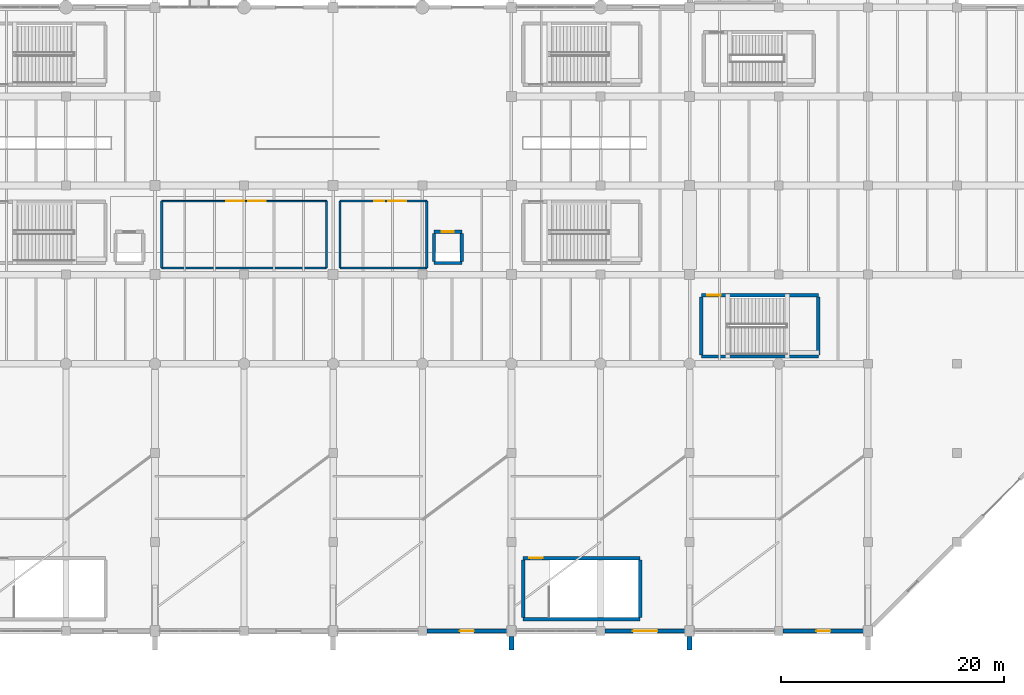
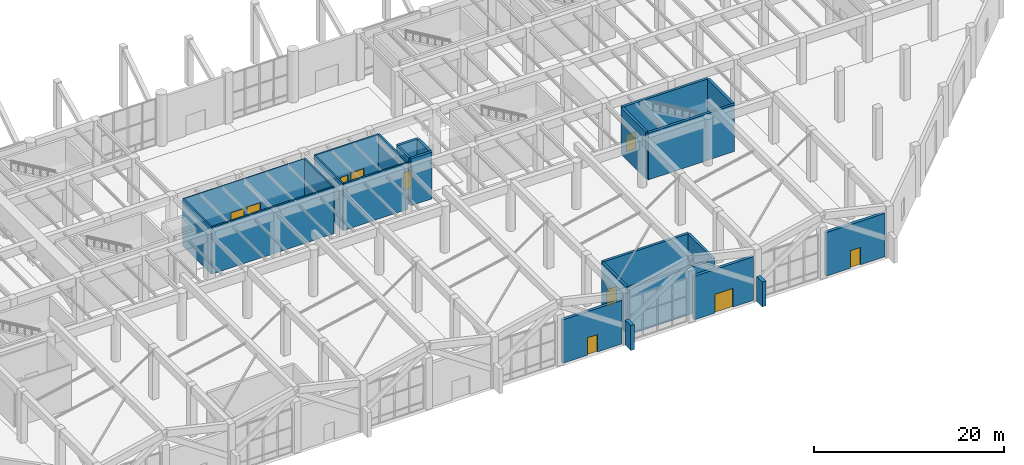
# One storey, part 36 of 51: 25 walls, 8 doors, 2 windows, 10 openings.
"""IFC4 building model written with IfcOpenShell, lengths in metres."""

from ifc_helpers import new_model, si_unit, direction, frame, frame_2d, origin, place, context, subcontext, project, spatial, rectangle, extrude, material, layer, layer_set, type_object, element, fill, save


model = new_model("IFC4")

# Units and contexts
model_context = context("Model", 3, precision=1e-05, world=origin(), true_north=direction((0.0, 1.0)))
body_context = subcontext(model_context, "Body", "Model", "MODEL_VIEW")
ifc_project = project(units=[si_unit("LENGTHUNIT", "METRE"), si_unit("AREAUNIT", "SQUARE_METRE"), si_unit("VOLUMEUNIT", "CUBIC_METRE"), si_unit("PLANEANGLEUNIT", "RADIAN"), si_unit("MASSUNIT", "GRAM", prefix="KILO")], contexts=[model_context])

# Site, building, storey
site_placement = place(None, origin())
site = spatial("IfcSite", under=ifc_project, at=site_placement, CompositionType="ELEMENT")
building_placement = place(site_placement, origin())
building = spatial("IfcBuilding", under=site, at=building_placement, Name="Varnela Railside Interchange", CompositionType="ELEMENT")
storey_placement = place(building_placement, origin())
storey = spatial("IfcBuildingStorey", under=building, at=storey_placement, Name="L00", CompositionType="ELEMENT", Elevation=0.0)

# Wall, opening, door
ifc_material_1 = material(Name="Concrete C40 precast", Category="concrete")
ifc_layer_1 = layer(ifc_material_1, 0.35009765625)
ifc_layer_set_1 = layer_set([ifc_layer_1], Name="Concrete C40 precast")
wall_type_1 = type_object("IfcWallType", Name="Bus Deck Acoustic Concrete Wall EW-04", PredefinedType="STANDARD", material=ifc_layer_set_1)
wall_1_placement = place(storey_placement, frame((131.60009765625, 6.0, 0.0), z_axis=(0.0, 0.0, 1.0), x_axis=(-1.0, 0.0, 0.0)))
wall_1 = element("IfcWall", 1, at=wall_1_placement, inside=storey, type_object=wall_type_1, Name="Bus Deck Acoustic Concrete Wall EW-04 (L00) (WL-0377)", PredefinedType="STANDARD", context=body_context, shape_type="SweptSolid", body=[
    extrude(rectangle(XDim=7.2001953125, YDim=0.35009765625, at=frame_2d((3.60009765625, 0.0))), origin(), (0.0, 0.0, 1.0), 5.60009765625),
])
opening_1_placement = place(wall_1_placement, frame((2.97509765625, 0.0, 0.0)))
opening_1 = element("IfcOpeningElement", 2, at=opening_1_placement, cuts=wall_1, Name="Opening D-018", PredefinedType="OPENING", context=body_context, shape_type="SweptSolid", body=[
    extrude(rectangle(XDim=1.25, YDim=2.25, at=frame_2d((0.625, 1.125))), frame((0.0, 0.18505859375, 0.0), z_axis=(0.0, -1.0, 0.0), x_axis=(1.0, 0.0, 0.0)), (0.0, 0.0, 1.0), 0.3701171875),
])
ifc_material_2 = material(Name="Steel AR 350 (350 MPa)", Category="steel")
door_type_1 = type_object("IfcDoorType", Name="Trackside Service Exit Door ED-08", OperationType="SINGLE_SWING_RIGHT", PredefinedType="DOOR", material=ifc_material_2)
door_1_placement = place(opening_1_placement, origin())
door_1 = element("IfcDoor", 3, at=door_1_placement, inside=storey, type_object=door_type_1, Name="Door D-018", OperationType="SINGLE_SWING_RIGHT", OverallHeight=2.25, OverallWidth=1.25, PredefinedType="DOOR", context=body_context, shape_type="SweptSolid", body=[
    extrude(rectangle(XDim=1.25, YDim=2.25, at=frame_2d((0.625, 1.125))), frame((0.0, 0.02490234375, 0.0), z_axis=(0.0, -1.0, 0.0), x_axis=(1.0, 0.0, 0.0)), (0.0, 0.0, 1.0), 0.050048828125),
])
fill(opening_1, door_1)

wall_2_placement = place(storey_placement, frame((115.60009765625, 6.0, 0.0), z_axis=(0.0, 0.0, 1.0), x_axis=(-1.0, 0.0, 0.0)))
wall_2 = element("IfcWall", 4, at=wall_2_placement, inside=storey, type_object=wall_type_1, Name="Bus Deck Acoustic Concrete Wall EW-04 (L00) (WL-0378)", PredefinedType="STANDARD", context=body_context, shape_type="SweptSolid", body=[
    extrude(rectangle(XDim=7.2001953125, YDim=0.35009765625, at=frame_2d((3.60009765625, 0.0))), origin(), (0.0, 0.0, 1.0), 5.60009765625),
])
opening_2_placement = place(wall_2_placement, frame((2.5, 0.0, 0.0)))
opening_2 = element("IfcOpeningElement", 5, at=opening_2_placement, cuts=wall_2, Name="Opening D-019", PredefinedType="OPENING", context=body_context, shape_type="SweptSolid", body=[
    extrude(rectangle(XDim=2.199951171875, YDim=2.39990234375, at=frame_2d((1.10009765625, 1.199951171875))), frame((0.0, 0.18505859375, 0.0), z_axis=(0.0, -1.0, 0.0), x_axis=(1.0, 0.0, 0.0)), (0.0, 0.0, 1.0), 0.3701171875),
])
ifc_material_3 = material(Name="Aluminium 6063-T6", Category="aluminium")
door_type_2 = type_object("IfcDoorType", Name="Bus Bay Automatic Boarding Door ED-04", OperationType="SLIDING_TO_LEFT", PredefinedType="DOOR", material=ifc_material_3)
door_2_placement = place(opening_2_placement, origin())
door_2 = element("IfcDoor", 6, at=door_2_placement, inside=storey, type_object=door_type_2, Name="Door D-019", OperationType="SLIDING_TO_LEFT", OverallHeight=2.39990234375, OverallWidth=2.199951171875, PredefinedType="DOOR", context=body_context, shape_type="SweptSolid", body=[
    extrude(rectangle(XDim=2.199951171875, YDim=2.39990234375, at=frame_2d((1.10009765625, 1.199951171875))), frame((0.0, 0.02490234375, 0.0), z_axis=(0.0, -1.0, 0.0), x_axis=(1.0, 0.0, 0.0)), (0.0, 0.0, 1.0), 0.050048828125),
])
fill(opening_2, door_2)

wall_3_placement = place(storey_placement, frame((99.60009765625, 6.0, 0.0), z_axis=(0.0, 0.0, 1.0), x_axis=(-1.0, 0.0, 0.0)))
wall_3 = element("IfcWall", 7, at=wall_3_placement, inside=storey, type_object=wall_type_1, Name="Bus Deck Acoustic Concrete Wall EW-04 (L00) (WL-0379)", PredefinedType="STANDARD", context=body_context, shape_type="SweptSolid", body=[
    extrude(rectangle(XDim=7.2001953125, YDim=0.35009765625, at=frame_2d((3.60009765625, 0.0))), origin(), (0.0, 0.0, 1.0), 5.60009765625),
])
opening_3_placement = place(wall_3_placement, frame((2.97509765625, 0.0, 0.0)))
opening_3 = element("IfcOpeningElement", 8, at=opening_3_placement, cuts=wall_3, Name="Opening D-020", PredefinedType="OPENING", context=body_context, shape_type="SweptSolid", body=[
    extrude(rectangle(XDim=1.25, YDim=2.25, at=frame_2d((0.625, 1.125))), frame((0.0, 0.18505859375, 0.0), z_axis=(0.0, -1.0, 0.0), x_axis=(1.0, 0.0, 0.0)), (0.0, 0.0, 1.0), 0.3701171875),
])
door_3_placement = place(opening_3_placement, origin())
door_3 = element("IfcDoor", 9, at=door_3_placement, inside=storey, type_object=door_type_1, Name="Door D-020", OperationType="SINGLE_SWING_RIGHT", OverallHeight=2.25, OverallWidth=1.25, PredefinedType="DOOR", context=body_context, shape_type="SweptSolid", body=[
    extrude(rectangle(XDim=1.25, YDim=2.25, at=frame_2d((0.625, 1.125))), frame((0.0, 0.02490234375, 0.0), z_axis=(0.0, -1.0, 0.0), x_axis=(1.0, 0.0, 0.0)), (0.0, 0.0, 1.0), 0.050048828125),
])
fill(opening_3, door_3)

# Wall, openings, door, window
ifc_material_4 = material(Name="Glass laminated double", Category="glass")
ifc_layer_2 = layer(ifc_material_4, 0.1201171875)
ifc_layer_set_2 = layer_set([ifc_layer_2], Name="Glass laminated double")
wall_type_2 = type_object("IfcWallType", Name="Glazed Operations Partition IW-03", PredefinedType="PARTITIONING", material=ifc_layer_set_2)
wall_4_placement = place(storey_placement, frame((68.60009765625, 44.60009765625, 0.0), z_axis=(0.0, 0.0, 1.0), x_axis=(1.0, 0.0, 0.0)))
wall_4 = element("IfcWall", 10, at=wall_4_placement, inside=storey, type_object=wall_type_2, Name="Glazed Operations Partition IW-03 (L00) (WL-0386)", PredefinedType="PARTITIONING", context=body_context, shape_type="SweptSolid", body=[
    extrude(rectangle(XDim=14.7998046875, YDim=0.1201171875, at=frame_2d((7.39990234375, 0.0))), origin(), (0.0, 0.0, 1.0), 6.02001953125),
])
opening_4_placement = place(wall_4_placement, frame((5.800048828125, 0.0, 0.0)))
opening_4 = element("IfcOpeningElement", 11, at=opening_4_placement, cuts=wall_4, Name="Opening D-174", PredefinedType="OPENING", context=body_context, shape_type="SweptSolid", body=[
    extrude(rectangle(XDim=1.60009765625, YDim=2.199951171875, at=frame_2d((0.800048828125, 1.10009765625))), frame((0.0, 0.070068359375, 0.0), z_axis=(0.0, -1.0, 0.0), x_axis=(1.0, 0.0, 0.0)), (0.0, 0.0, 1.0), 0.14013671875),
])
opening_5_placement = place(wall_4_placement, frame((7.75, 0.0, 0.949951171875)))
opening_5 = element("IfcOpeningElement", 12, at=opening_5_placement, cuts=wall_4, Name="Opening IW-002", PredefinedType="OPENING", context=body_context, shape_type="SweptSolid", body=[
    extrude(rectangle(XDim=1.60009765625, YDim=1.300048828125, at=frame_2d((0.800048828125, 0.64990234375))), frame((0.0, 0.070068359375, 0.0), z_axis=(0.0, -1.0, 0.0), x_axis=(1.0, 0.0, 0.0)), (0.0, 0.0, 1.0), 0.14013671875),
])
door_type_3 = type_object("IfcDoorType", Name="DR-DBL-1600", OperationType="DOUBLE_DOOR_SINGLE_SWING", PredefinedType="DOOR", material=ifc_material_4)
door_4_placement = place(opening_4_placement, origin())
door_4 = element("IfcDoor", 13, at=door_4_placement, inside=storey, type_object=door_type_3, Name="Door D-174", OperationType="DOUBLE_DOOR_SINGLE_SWING", OverallHeight=2.199951171875, OverallWidth=1.60009765625, PredefinedType="DOOR", context=body_context, shape_type="SweptSolid", body=[
    extrude(rectangle(XDim=1.60009765625, YDim=2.199951171875, at=frame_2d((0.800048828125, 1.10009765625))), frame((0.0, 0.02490234375, 0.0), z_axis=(0.0, -1.0, 0.0), x_axis=(1.0, 0.0, 0.0)), (0.0, 0.0, 1.0), 0.050048828125),
])
fill(opening_4, door_4)
window_type = type_object("IfcWindowType", Name="Interior Acoustic Vision Window IW-WN1", PartitioningType="SINGLE_PANEL", PredefinedType="WINDOW", material=ifc_material_4)
window_1_placement = place(opening_5_placement, origin())
window_1 = element("IfcWindow", 14, at=window_1_placement, inside=storey, type_object=window_type, Name="Window IW-002", OverallHeight=1.300048828125, OverallWidth=1.60009765625, PartitioningType="SINGLE_PANEL", PredefinedType="WINDOW", context=body_context, shape_type="SweptSolid", body=[
    extrude(rectangle(XDim=1.60009765625, YDim=1.300048828125, at=frame_2d((0.800048828125, 0.64990234375))), frame((0.0, 0.030029296875, 0.0), z_axis=(0.0, -1.0, 0.0), x_axis=(1.0, 0.0, 0.0)), (0.0, 0.0, 1.0), 0.06005859375),
])
fill(opening_5, window_1)

# Wall, opening, door
ifc_material_5 = material(Name="Concrete C50", Category="concrete")
ifc_layer_3 = layer(ifc_material_5, 0.300048828125)
ifc_layer_set_3 = layer_set([ifc_layer_3], Name="Concrete C50")
wall_type_3 = type_object("IfcWallType", Name="Stair & Lift Shaft Wall SW-03", PredefinedType="SHEAR", material=ifc_layer_set_3)
wall_5_placement = place(storey_placement, frame((117.050048828125, 36.14990234375, 0.0), z_axis=(0.0, 0.0, 1.0), x_axis=(1.0, 0.0, 0.0)))
wall_5 = element("IfcWall", 15, at=wall_5_placement, inside=storey, type_object=wall_type_3, Name="Stair & Lift Shaft Wall SW-03 (L00) (WL-0459)", PredefinedType="SHEAR", context=body_context, shape_type="SweptSolid", body=[
    extrude(rectangle(XDim=10.5, YDim=0.300048828125, at=frame_2d((5.25, 0.0))), origin(), (0.0, 0.0, 1.0), 6.02001953125),
])
opening_6_placement = place(wall_5_placement, frame((0.550048828125, 0.0, 0.0)))
opening_6 = element("IfcOpeningElement", 16, at=opening_6_placement, cuts=wall_5, Name="Opening D-163", PredefinedType="OPENING", context=body_context, shape_type="SweptSolid", body=[
    extrude(rectangle(XDim=1.199951171875, YDim=2.199951171875, at=frame_2d((0.60009765625, 1.10009765625))), frame((0.0, 0.159912109375, 0.0), z_axis=(0.0, -1.0, 0.0), x_axis=(1.0, 0.0, 0.0)), (0.0, 0.0, 1.0), 0.320068359375),
])
door_type_4 = type_object("IfcDoorType", Name="DR-SGL-1200-FD90", OperationType="NOTDEFINED", PredefinedType="DOOR", material=ifc_material_2)
door_5_placement = place(opening_6_placement, origin())
door_5 = element("IfcDoor", 17, at=door_5_placement, inside=storey, type_object=door_type_4, Name="Door D-163", OperationType="SINGLE_SWING_RIGHT", OverallHeight=2.199951171875, OverallWidth=1.199951171875, PredefinedType="DOOR", context=body_context, shape_type="SweptSolid", body=[
    extrude(rectangle(XDim=1.199951171875, YDim=2.199951171875, at=frame_2d((0.60009765625, 1.10009765625))), frame((0.0, 0.02490234375, 0.0), z_axis=(0.0, -1.0, 0.0), x_axis=(1.0, 0.0, 0.0)), (0.0, 0.0, 1.0), 0.050048828125),
])
fill(opening_6, door_5)

# Walls
wall_6_placement = place(storey_placement, frame((117.050048828125, 30.64990234375, 0.0), z_axis=(0.0, 0.0, 1.0), x_axis=(1.0, 0.0, 0.0)))
element("IfcWall", 18, at=wall_6_placement, inside=storey, type_object=wall_type_3, Name="Stair & Lift Shaft Wall SW-03 (L00) (WL-0460)", PredefinedType="SHEAR", context=body_context, shape_type="SweptSolid", body=[
    extrude(rectangle(XDim=10.5, YDim=0.300048828125, at=frame_2d((5.25, 0.0))), origin(), (0.0, 0.0, 1.0), 6.02001953125),
])
for number, where, z_axis, x_axis, name in (
    (19, (117.050048828125, 30.800048828125, 0.0), (0.0, 0.0, 1.0), (0.0, 1.0, 0.0), "Stair & Lift Shaft Wall SW-03 (L00) (WL-0461)"),
    (20, (127.550048828125, 30.800048828125, 0.0), (0.0, 0.0, 1.0), (0.0, 1.0, 0.0), "Stair & Lift Shaft Wall SW-03 (L00) (WL-0458)"),
):
    element("IfcWall", number, at=place(storey_placement, frame(where, z_axis=z_axis, x_axis=x_axis)), inside=storey, type_object=wall_type_3, Name=name, PredefinedType="SHEAR", context=body_context, shape_type="SweptSolid", body=[
        extrude(rectangle(XDim=5.199951171875, YDim=0.300048828125, at=frame_2d((2.60009765625, 0.0))), origin(), (0.0, 0.0, 1.0), 6.02001953125),
    ])

# Wall, opening, door
wall_7_placement = place(storey_placement, frame((101.050048828125, 12.550048828125, 0.0), z_axis=(0.0, 0.0, 1.0), x_axis=(1.0, 0.0, 0.0)))
wall_7 = element("IfcWall", 21, at=wall_7_placement, inside=storey, type_object=wall_type_3, Name="Stair & Lift Shaft Wall SW-03 (L00) (WL-0467)", PredefinedType="SHEAR", context=body_context, shape_type="SweptSolid", body=[
    extrude(rectangle(XDim=10.5, YDim=0.300048828125, at=frame_2d((5.25, 0.0))), origin(), (0.0, 0.0, 1.0), 6.02001953125),
])
opening_7_placement = place(wall_7_placement, frame((0.550048828125, 0.0, 0.0)))
opening_7 = element("IfcOpeningElement", 22, at=opening_7_placement, cuts=wall_7, Name="Opening D-165", PredefinedType="OPENING", context=body_context, shape_type="SweptSolid", body=[
    extrude(rectangle(XDim=1.199951171875, YDim=2.199951171875, at=frame_2d((0.60009765625, 1.10009765625))), frame((0.0, 0.159912109375, 0.0), z_axis=(0.0, -1.0, 0.0), x_axis=(1.0, 0.0, 0.0)), (0.0, 0.0, 1.0), 0.320068359375),
])
door_6_placement = place(opening_7_placement, origin())
door_6 = element("IfcDoor", 23, at=door_6_placement, inside=storey, type_object=door_type_4, Name="Door D-165", OperationType="SINGLE_SWING_RIGHT", OverallHeight=2.199951171875, OverallWidth=1.199951171875, PredefinedType="DOOR", context=body_context, shape_type="SweptSolid", body=[
    extrude(rectangle(XDim=1.199951171875, YDim=2.199951171875, at=frame_2d((0.60009765625, 1.10009765625))), frame((0.0, 0.02490234375, 0.0), z_axis=(0.0, -1.0, 0.0), x_axis=(1.0, 0.0, 0.0)), (0.0, 0.0, 1.0), 0.050048828125),
])
fill(opening_7, door_6)

# Walls
wall_8_placement = place(storey_placement, frame((101.050048828125, 7.050048828125, 0.0), z_axis=(0.0, 0.0, 1.0), x_axis=(1.0, 0.0, 0.0)))
element("IfcWall", 24, at=wall_8_placement, inside=storey, type_object=wall_type_3, Name="Stair & Lift Shaft Wall SW-03 (L00) (WL-0468)", PredefinedType="SHEAR", context=body_context, shape_type="SweptSolid", body=[
    extrude(rectangle(XDim=10.5, YDim=0.300048828125, at=frame_2d((5.25, 0.0))), origin(), (0.0, 0.0, 1.0), 6.02001953125),
])
for number, where, z_axis, x_axis, name in (
    (25, (101.050048828125, 7.199951171875, 0.0), (0.0, 0.0, 1.0), (0.0, 1.0, 0.0), "Stair & Lift Shaft Wall SW-03 (L00) (WL-0469)"),
    (26, (111.550048828125, 7.199951171875, 0.0), (0.0, 0.0, 1.0), (0.0, 1.0, 0.0), "Stair & Lift Shaft Wall SW-03 (L00) (WL-0466)"),
):
    element("IfcWall", number, at=place(storey_placement, frame(where, z_axis=z_axis, x_axis=x_axis)), inside=storey, type_object=wall_type_3, Name=name, PredefinedType="SHEAR", context=body_context, shape_type="SweptSolid", body=[
        extrude(rectangle(XDim=5.199951171875, YDim=0.300048828125, at=frame_2d((2.60009765625, 0.0))), origin(), (0.0, 0.0, 1.0), 6.02001953125),
    ])

# Wall, opening, door
wall_9_placement = place(storey_placement, frame((93.050048828125, 41.85009765625, 0.0), z_axis=(0.0, 0.0, 1.0), x_axis=(1.0, 0.0, 0.0)))
wall_9 = element("IfcWall", 27, at=wall_9_placement, inside=storey, type_object=wall_type_3, Name="Stair & Lift Shaft Wall SW-03 (L00) (WL-0419)", PredefinedType="SHEAR", context=body_context, shape_type="SweptSolid", body=[
    extrude(rectangle(XDim=2.5, YDim=0.300048828125, at=frame_2d((1.25, 0.0))), origin(), (0.0, 0.0, 1.0), 6.02001953125),
])
opening_8_placement = place(wall_9_placement, frame((0.699951171875, 0.0, 0.0)))
opening_8 = element("IfcOpeningElement", 28, at=opening_8_placement, cuts=wall_9, Name="Opening LD-029", PredefinedType="OPENING", context=body_context, shape_type="SweptSolid", body=[
    extrude(rectangle(XDim=1.080078125, YDim=2.199951171875, at=frame_2d((0.5400390625, 1.10009765625))), frame((0.0, 0.159912109375, 0.0), z_axis=(0.0, -1.0, 0.0), x_axis=(1.0, 0.0, 0.0)), (0.0, 0.0, 1.0), 0.320068359375),
])
door_type_5 = type_object("IfcDoorType", Name="DR-LIFT-1080", OperationType="SLIDING_TO_LEFT", PredefinedType="DOOR", material=ifc_material_2)
door_7_placement = place(opening_8_placement, origin())
door_7 = element("IfcDoor", 29, at=door_7_placement, inside=storey, type_object=door_type_5, Name="Door LD-029", OperationType="SLIDING_TO_LEFT", OverallHeight=2.199951171875, OverallWidth=1.080078125, PredefinedType="DOOR", context=body_context, shape_type="SweptSolid", body=[
    extrude(rectangle(XDim=1.080078125, YDim=2.199951171875, at=frame_2d((0.5400390625, 1.10009765625))), frame((0.0, 0.02490234375, 0.0), z_axis=(0.0, -1.0, 0.0), x_axis=(1.0, 0.0, 0.0)), (0.0, 0.0, 1.0), 0.050048828125),
])
fill(opening_8, door_7)

# Walls
for number, where, z_axis, x_axis, name in (
    (30, (93.050048828125, 39.050048828125, 0.0), (0.0, 0.0, 1.0), (1.0, 0.0, 0.0), "Stair & Lift Shaft Wall SW-03 (L00) (WL-0420)"),
    (31, (93.050048828125, 39.199951171875, 0.0), (0.0, 0.0, 1.0), (0.0, 1.0, 0.0), "Stair & Lift Shaft Wall SW-03 (L00) (WL-0421)"),
    (32, (95.550048828125, 39.199951171875, 0.0), (0.0, 0.0, 1.0), (0.0, 1.0, 0.0), "Stair & Lift Shaft Wall SW-03 (L00) (WL-0418)"),
):
    element("IfcWall", number, at=place(storey_placement, frame(where, z_axis=z_axis, x_axis=x_axis)), inside=storey, type_object=wall_type_3, Name=name, PredefinedType="SHEAR", context=body_context, shape_type="SweptSolid", body=[
        extrude(rectangle(XDim=2.5, YDim=0.300048828125, at=frame_2d((1.25, 0.0))), origin(), (0.0, 0.0, 1.0), 6.02001953125),
    ])
ifc_material_6 = material(Name="Masonry concrete block", Category="masonry")
ifc_layer_4 = layer(ifc_material_6, 0.18994140625)
ifc_layer_set_4 = layer_set([ifc_layer_4], Name="Masonry concrete block")
wall_type_4 = type_object("IfcWallType", Name="Transit Kiosk Masonry Wall IW-05", PredefinedType="SOLIDWALL", material=ifc_layer_set_4)
wall_10_placement = place(storey_placement, frame((68.60009765625, 38.60009765625, 0.0), z_axis=(0.0, 0.0, 1.0), x_axis=(1.0, 0.0, 0.0)))
element("IfcWall", 33, at=wall_10_placement, inside=storey, type_object=wall_type_4, Name="Transit Kiosk Masonry Wall IW-05 (L00) (WL-0387)", PredefinedType="SOLIDWALL", context=body_context, shape_type="SweptSolid", body=[
    extrude(rectangle(XDim=14.7998046875, YDim=0.199951171875, at=frame_2d((7.39990234375, 0.0))), origin(), (0.0, 0.0, 1.0), 6.02001953125),
])
for number, where, z_axis, x_axis, name in (
    (34, (68.60009765625, 38.60009765625, 0.0), (0.0, 0.0, 1.0), (0.0, 1.0, 0.0), "Transit Kiosk Masonry Wall IW-05 (L00) (WL-0388)"),
    (35, (83.39990234375, 38.60009765625, 0.0), (0.0, 0.0, 1.0), (0.0, 1.0, 0.0), "Transit Kiosk Masonry Wall IW-05 (L00) (WL-0385)"),
):
    element("IfcWall", number, at=place(storey_placement, frame(where, z_axis=z_axis, x_axis=x_axis)), inside=storey, type_object=wall_type_4, Name=name, PredefinedType="SOLIDWALL", context=body_context, shape_type="SweptSolid", body=[
        extrude(rectangle(XDim=6.0, YDim=0.199951171875, at=frame_2d((3.0, 0.0))), origin(), (0.0, 0.0, 1.0), 6.02001953125),
    ])

# Wall, openings, door, window
wall_11_placement = place(storey_placement, frame((84.60009765625, 44.60009765625, 0.0), z_axis=(0.0, 0.0, 1.0), x_axis=(1.0, 0.0, 0.0)))
wall_11 = element("IfcWall", 36, at=wall_11_placement, inside=storey, type_object=wall_type_4, Name="Transit Kiosk Masonry Wall IW-05 (L00) (WL-0403)", PredefinedType="SOLIDWALL", context=body_context, shape_type="SweptSolid", body=[
    extrude(rectangle(XDim=7.7998046875, YDim=0.199951171875, at=frame_2d((3.89990234375, 0.0))), origin(), (0.0, 0.0, 1.0), 6.02001953125),
])
opening_9_placement = place(wall_11_placement, frame((3.10009765625, 0.0, 0.0)))
opening_9 = element("IfcOpeningElement", 37, at=opening_9_placement, cuts=wall_11, Name="Opening D-175", PredefinedType="OPENING", context=body_context, shape_type="SweptSolid", body=[
    extrude(rectangle(XDim=0.89990234375, YDim=2.10009765625, at=frame_2d((0.449951171875, 1.050048828125))), frame((0.0, 0.10986328125, 0.0), z_axis=(0.0, -1.0, 0.0), x_axis=(1.0, 0.0, 0.0)), (0.0, 0.0, 1.0), 0.219970703125),
])
opening_10_placement = place(wall_11_placement, frame((4.35009765625, 0.0, 0.949951171875)))
opening_10 = element("IfcOpeningElement", 38, at=opening_10_placement, cuts=wall_11, Name="Opening IW-003", PredefinedType="OPENING", context=body_context, shape_type="SweptSolid", body=[
    extrude(rectangle(XDim=1.60009765625, YDim=1.300048828125, at=frame_2d((0.800048828125, 0.64990234375))), frame((0.0, 0.10986328125, 0.0), z_axis=(0.0, -1.0, 0.0), x_axis=(1.0, 0.0, 0.0)), (0.0, 0.0, 1.0), 0.219970703125),
])
ifc_material_7 = material(Name="Timber solid core", Category="wood")
door_type_6 = type_object("IfcDoorType", Name="DR-SGL-900", OperationType="NOTDEFINED", PredefinedType="DOOR", material=ifc_material_7)
door_8_placement = place(opening_9_placement, origin())
door_8 = element("IfcDoor", 39, at=door_8_placement, inside=storey, type_object=door_type_6, Name="Door D-175", OperationType="SINGLE_SWING_LEFT", OverallHeight=2.10009765625, OverallWidth=0.89990234375, PredefinedType="DOOR", context=body_context, shape_type="SweptSolid", body=[
    extrude(rectangle(XDim=0.89990234375, YDim=2.10009765625, at=frame_2d((0.449951171875, 1.050048828125))), frame((0.0, 0.02490234375, 0.0), z_axis=(0.0, -1.0, 0.0), x_axis=(1.0, 0.0, 0.0)), (0.0, 0.0, 1.0), 0.050048828125),
])
fill(opening_9, door_8)
window_2_placement = place(opening_10_placement, origin())
window_2 = element("IfcWindow", 40, at=window_2_placement, inside=storey, type_object=window_type, Name="Window IW-003", OverallHeight=1.300048828125, OverallWidth=1.60009765625, PartitioningType="SINGLE_PANEL", PredefinedType="WINDOW", context=body_context, shape_type="SweptSolid", body=[
    extrude(rectangle(XDim=1.60009765625, YDim=1.300048828125, at=frame_2d((0.800048828125, 0.64990234375))), frame((0.0, 0.030029296875, 0.0), z_axis=(0.0, -1.0, 0.0), x_axis=(1.0, 0.0, 0.0)), (0.0, 0.0, 1.0), 0.06005859375),
])
fill(opening_10, window_2)

# Walls
wall_12_placement = place(storey_placement, frame((84.60009765625, 38.60009765625, 0.0), z_axis=(0.0, 0.0, 1.0), x_axis=(1.0, 0.0, 0.0)))
element("IfcWall", 41, at=wall_12_placement, inside=storey, type_object=wall_type_4, Name="Transit Kiosk Masonry Wall IW-05 (L00) (WL-0404)", PredefinedType="SOLIDWALL", context=body_context, shape_type="SweptSolid", body=[
    extrude(rectangle(XDim=7.7998046875, YDim=0.199951171875, at=frame_2d((3.89990234375, 0.0))), origin(), (0.0, 0.0, 1.0), 6.02001953125),
])
for number, where, z_axis, x_axis, name in (
    (42, (84.60009765625, 38.60009765625, 0.0), (0.0, 0.0, 1.0), (0.0, 1.0, 0.0), "Transit Kiosk Masonry Wall IW-05 (L00) (WL-0405)"),
    (43, (92.39990234375, 38.60009765625, 0.0), (0.0, 0.0, 1.0), (0.0, 1.0, 0.0), "Transit Kiosk Masonry Wall IW-05 (L00) (WL-0402)"),
):
    element("IfcWall", number, at=place(storey_placement, frame(where, z_axis=z_axis, x_axis=x_axis)), inside=storey, type_object=wall_type_4, Name=name, PredefinedType="SOLIDWALL", context=body_context, shape_type="SweptSolid", body=[
        extrude(rectangle(XDim=6.0, YDim=0.199951171875, at=frame_2d((3.0, 0.0))), origin(), (0.0, 0.0, 1.0), 6.02001953125),
    ])
ifc_layer_5 = layer(ifc_material_5, 0.449951171875)
ifc_layer_set_5 = layer_set([ifc_layer_5], Name="Concrete C50")
wall_type_5 = type_object("IfcWallType", Name="V-Pier Sculpted Shear Blade VB-01", PredefinedType="SHEAR", material=ifc_layer_set_5)
for number, where, z_axis, x_axis, name in (
    (44, (100.0, 4.300048828125, 0.0), (0.0, 0.0, 1.0), (0.0, 1.0, 0.0), "V-Pier Sculpted Shear Blade VB-01 (L00) (WL-0478)"),
    (45, (116.0, 4.300048828125, 0.0), (0.0, 0.0, 1.0), (0.0, 1.0, 0.0), "V-Pier Sculpted Shear Blade VB-01 (L00) (WL-0479)"),
):
    element("IfcWall", number, at=place(storey_placement, frame(where, z_axis=z_axis, x_axis=x_axis)), inside=storey, type_object=wall_type_5, Name=name, PredefinedType="SHEAR", context=body_context, shape_type="SweptSolid", body=[
        extrude(rectangle(XDim=1.199951171875, YDim=0.449951171875, at=frame_2d((0.60009765625, 0.0))), origin(), (0.0, 0.0, 1.0), 3.199951171875),
    ])

save(model, "model.ifc")
